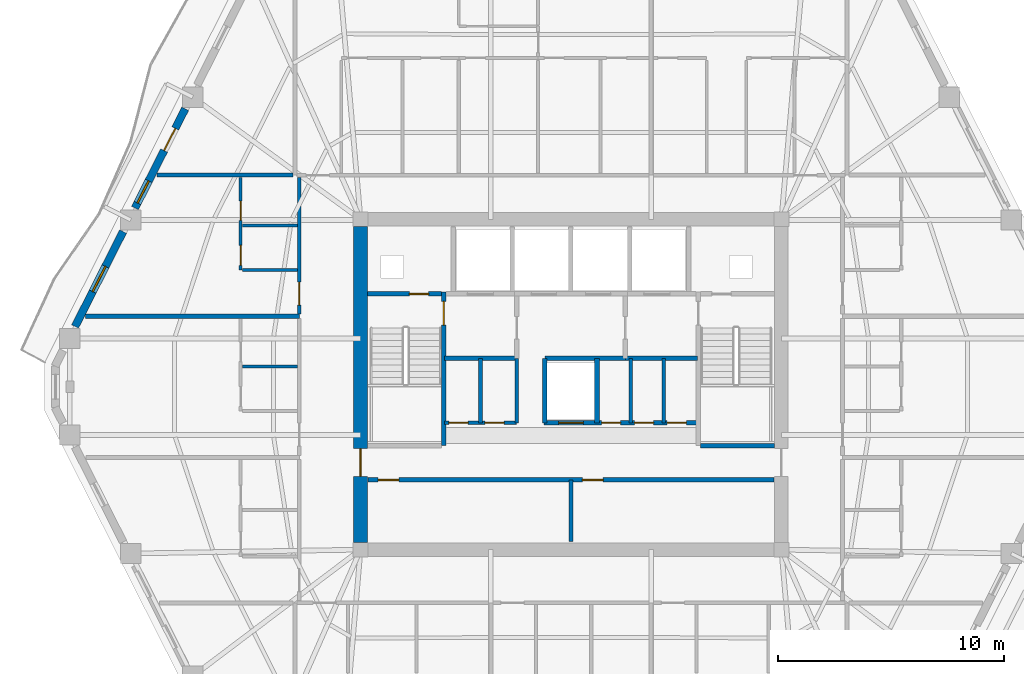
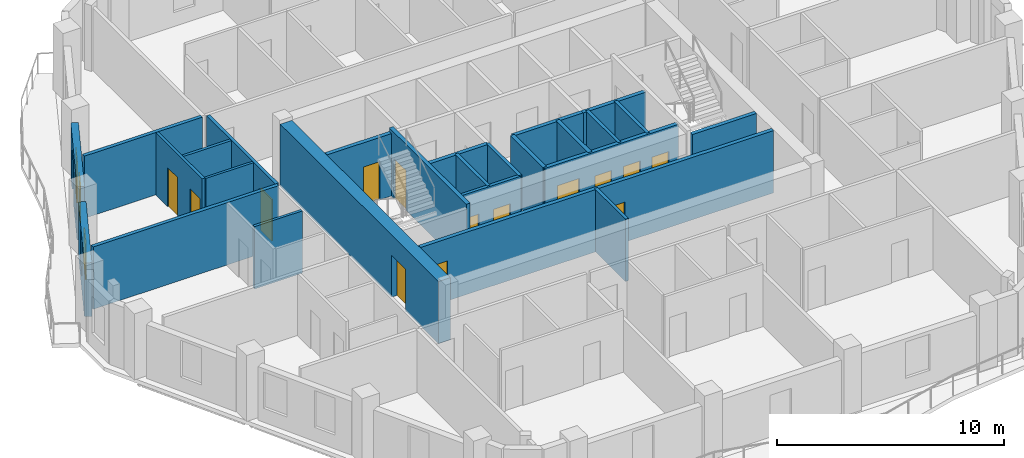
# One storey, part 5 of 10: 26 walls, 15 doors, 2 windows, 17 openings.
"""IFC4 building model written with IfcOpenShell, lengths in metres."""

from ifc_helpers import new_model, si_unit, direction, frame, frame_2d, origin, place, context, subcontext, project, spatial, rectangle, extrude, material, layer, layer_set, type_object, element, fill, save


model = new_model("IFC4")

# Units and contexts
model_context = context("Model", 3, precision=1e-05, world=origin(), true_north=direction((0.0, 1.0)))
body_context = subcontext(model_context, "Body", "Model", "MODEL_VIEW")
ifc_project = project(units=[si_unit("LENGTHUNIT", "METRE"), si_unit("AREAUNIT", "SQUARE_METRE"), si_unit("VOLUMEUNIT", "CUBIC_METRE"), si_unit("PLANEANGLEUNIT", "RADIAN"), si_unit("MASSUNIT", "GRAM", prefix="KILO")], contexts=[model_context])

# Site, building, storey
site_placement = place(None, origin())
site = spatial("IfcSite", under=ifc_project, at=site_placement, CompositionType="ELEMENT")
building_placement = place(site_placement, origin())
building = spatial("IfcBuilding", under=site, at=building_placement, Name="Cinnabar Lancet Tower", CompositionType="ELEMENT")
storey_placement = place(building_placement, frame((0.0, 0.0, 203.85009765625)))
storey = spatial("IfcBuildingStorey", under=building, at=storey_placement, Name="L54", CompositionType="ELEMENT", Elevation=203.85009765625)

# Wall, openings, doors
ifc_material_1 = material(Name="Acoustic twin-stud gypsum partition", Category="gypsum")
ifc_layer_1 = layer(ifc_material_1, 0.159912109375)
ifc_layer_set_1 = layer_set([ifc_layer_1], Name="Acoustic twin-stud gypsum partition")
wall_type_1 = type_object("IfcWallType", Name="ARC-WL-CORR-160", PredefinedType="PARTITIONING", material=ifc_layer_set_1)
wall_1_placement = place(storey_placement, frame((26.800048828125, 24.199951171875, 0.0), z_axis=(0.0, 0.0, 1.0), x_axis=(1.0, 0.0, 0.0)))
wall_1 = element("IfcWall", 1, at=wall_1_placement, inside=storey, type_object=wall_type_1, Name="CW-REC5S-L54", PredefinedType="PARTITIONING", context=body_context, shape_type="SweptSolid", body=[
    extrude(rectangle(XDim=3.199951171875, YDim=0.159912109375, at=frame_2d((1.60009765625, 0.0))), origin(), (0.0, 0.0, 1.0), 3.349853515625),
])
opening_1_placement = place(wall_1_placement, frame((0.199951171875, 0.0, 0.0)))
opening_1 = element("IfcOpeningElement", 2, at=opening_1_placement, cuts=wall_1, Name="Opening PD-02", PredefinedType="OPENING", context=body_context, shape_type="SweptSolid", body=[
    extrude(rectangle(XDim=0.85009765625, YDim=2.050048828125, at=frame_2d((0.425048828125, 1.02490234375))), frame((0.0, 0.08984375, 0.0), z_axis=(0.0, -1.0, 0.0), x_axis=(1.0, 0.0, 0.0)), (0.0, 0.0, 1.0), 0.179931640625),
])
opening_2_placement = place(wall_1_placement, frame((1.800048828125, 0.0, 0.0)))
opening_2 = element("IfcOpeningElement", 3, at=opening_2_placement, cuts=wall_1, Name="Opening PD-02", PredefinedType="OPENING", context=body_context, shape_type="SweptSolid", body=[
    extrude(rectangle(XDim=0.85009765625, YDim=2.050048828125, at=frame_2d((0.425048828125, 1.02490234375))), frame((0.0, 0.08984375, 0.0), z_axis=(0.0, -1.0, 0.0), x_axis=(1.0, 0.0, 0.0)), (0.0, 0.0, 1.0), 0.179931640625),
])
ifc_material_2 = material(Name="Fire-rated steel riser access door", Category="steel")
door_type_1 = type_object("IfcDoorType", Name="ARC-DR-RISER", OperationType="NOTDEFINED", PredefinedType="DOOR", material=ifc_material_2)
door_1_placement = place(opening_1_placement, origin())
door_1 = element("IfcDoor", 4, at=door_1_placement, inside=storey, type_object=door_type_1, Name="DR-L54-REC5A", OperationType="SINGLE_SWING_LEFT", OverallHeight=2.050048828125, OverallWidth=0.85009765625, PredefinedType="DOOR", context=body_context, shape_type="SweptSolid", body=[
    extrude(rectangle(XDim=0.85009765625, YDim=2.050048828125, at=frame_2d((0.425048828125, 1.02490234375))), frame((0.0, 0.02490234375, 0.0), z_axis=(0.0, -1.0, 0.0), x_axis=(1.0, 0.0, 0.0)), (0.0, 0.0, 1.0), 0.050048828125),
])
fill(opening_1, door_1)
door_2_placement = place(opening_2_placement, origin())
door_2 = element("IfcDoor", 5, at=door_2_placement, inside=storey, type_object=door_type_1, Name="DR-L54-REC5B", OperationType="SINGLE_SWING_RIGHT", OverallHeight=2.050048828125, OverallWidth=0.85009765625, PredefinedType="DOOR", context=body_context, shape_type="SweptSolid", body=[
    extrude(rectangle(XDim=0.85009765625, YDim=2.050048828125, at=frame_2d((0.425048828125, 1.02490234375))), frame((0.0, 0.02490234375, 0.0), z_axis=(0.0, -1.0, 0.0), x_axis=(1.0, 0.0, 0.0)), (0.0, 0.0, 1.0), 0.050048828125),
])
fill(opening_2, door_2)

# Walls
for number, where, z_axis, x_axis, name in (
    (6, (30.0, 24.199951171875, 0.0), (0.0, 0.0, 1.0), (0.0, 1.0, 0.0), "CW-REC5E-L54"),
    (7, (28.39990234375, 24.199951171875, 0.0), (0.0, 0.0, 1.0), (0.0, 1.0, 0.0), "CW-REC5D0-L54"),
    (8, (35.050048828125, 24.199951171875, 0.0), (0.0, 0.0, 1.0), (0.0, 1.0, 0.0), "CW-REC6D1-L54"),
    (9, (36.5, 24.199951171875, 0.0), (0.0, 0.0, 1.0), (0.0, 1.0, 0.0), "CW-REC6D2-L54"),
):
    element("IfcWall", number, at=place(storey_placement, frame(where, z_axis=z_axis, x_axis=x_axis)), inside=storey, type_object=wall_type_1, Name=name, PredefinedType="PARTITIONING", context=body_context, shape_type="SweptSolid", body=[
        extrude(rectangle(XDim=2.85009765625, YDim=0.159912109375, at=frame_2d((1.425048828125, 0.0))), origin(), (0.0, 0.0, 1.0), 3.349853515625),
    ])
wall_2_placement = place(storey_placement, frame((32.39990234375, 18.949951171875, 0.0), z_axis=(0.0, 0.0, 1.0), x_axis=(0.0, 1.0, 0.0)))
element("IfcWall", 10, at=wall_2_placement, inside=storey, type_object=wall_type_1, Name="CW-SB-3240-L54", PredefinedType="PARTITIONING", context=body_context, shape_type="SweptSolid", body=[
    extrude(rectangle(XDim=2.72998046875, YDim=0.159912109375, at=frame_2d((1.364990234375, 0.0))), origin(), (0.0, 0.0, 1.0), 3.349853515625),
])

# Wall, opening, door
wall_3_placement = place(storey_placement, frame((20.39990234375, 29.008056640625, 0.0), z_axis=(0.0, 0.0, 1.0), x_axis=(0.0, 1.0, 0.0)))
wall_3 = element("IfcWall", 11, at=wall_3_placement, inside=storey, type_object=wall_type_1, Name="UW-L54-W03-COR", PredefinedType="PARTITIONING", context=body_context, shape_type="SweptSolid", body=[
    extrude(rectangle(XDim=6.046875, YDim=0.159912109375, at=frame_2d((3.0234375, 0.0))), origin(), (0.0, 0.0, 1.0), 3.349853515625),
])
opening_3_placement = place(wall_3_placement, frame((0.39990234375, 0.0, 0.0)))
opening_3 = element("IfcOpeningElement", 12, at=opening_3_placement, cuts=wall_3, Name="Opening UD-01", PredefinedType="OPENING", context=body_context, shape_type="SweptSolid", body=[
    extrude(rectangle(XDim=1.02001953125, YDim=2.25, at=frame_2d((0.510009765625, 1.125))), frame((0.0, 0.08984375, 0.0), z_axis=(0.0, -1.0, 0.0), x_axis=(1.0, 0.0, 0.0)), (0.0, 0.0, 1.0), 0.179931640625),
])
ifc_material_3 = material(Name="Solid timber fire-rated apartment entrance door", Category="wood")
door_type_2 = type_object("IfcDoorType", Name="ARC-DR-UNIT", OperationType="NOTDEFINED", PredefinedType="DOOR", material=ifc_material_3)
door_3_placement = place(opening_3_placement, origin())
door_3 = element("IfcDoor", 13, at=door_3_placement, inside=storey, type_object=door_type_2, Name="DR-L54-W03-ENT", OperationType="SINGLE_SWING_LEFT", OverallHeight=2.25, OverallWidth=1.02001953125, PredefinedType="DOOR", context=body_context, shape_type="SweptSolid", body=[
    extrude(rectangle(XDim=1.02001953125, YDim=2.25, at=frame_2d((0.510009765625, 1.125))), frame((0.0, 0.02490234375, 0.0), z_axis=(0.0, -1.0, 0.0), x_axis=(1.0, 0.0, 0.0)), (0.0, 0.0, 1.0), 0.050048828125),
])
fill(opening_3, door_3)

# Walls
ifc_material_4 = material(Name="Fire-rated twin-frame acoustic drywall", Category="gypsum")
ifc_layer_2 = layer(ifc_material_4, 0.179931640625)
ifc_layer_set_2 = layer_set([ifc_layer_2], Name="Fire-rated twin-frame acoustic drywall")
wall_type_2 = type_object("IfcWallType", Name="ARC-WL-PARTY-180", PredefinedType="PARTITIONING", material=ifc_layer_set_2)
wall_4_placement = place(storey_placement, frame((14.110107421875, 35.14990234375, 0.0), z_axis=(0.0, 0.0, 1.0), x_axis=(1.0, 0.0, 0.0)))
element("IfcWall", 14, at=wall_4_placement, inside=storey, type_object=wall_type_2, Name="PW-L54-WNB", PredefinedType="PARTITIONING", context=body_context, shape_type="SweptSolid", body=[
    extrude(rectangle(XDim=5.994873046875, YDim=0.179931640625, at=frame_2d((2.99755859375, 0.0))), origin(), (0.0, 0.0, 1.0), 3.349853515625),
])
wall_5_placement = place(storey_placement, frame((10.9541015625, 28.9130859375, 0.0), z_axis=(0.0, 0.0, 1.0), x_axis=(1.0, 0.0, 0.0)))
element("IfcWall", 15, at=wall_5_placement, inside=storey, type_object=wall_type_2, Name="PW-L54-WPTY-2", PredefinedType="PARTITIONING", context=body_context, shape_type="SweptSolid", body=[
    extrude(rectangle(XDim=9.44580078125, YDim=0.179931640625, at=frame_2d((4.722900390625, 0.0))), origin(), (0.0, 0.0, 1.0), 3.349853515625),
])
ifc_material_5 = material(Name="Autoclaved aerated concrete blockwork", Category="masonry")
ifc_layer_3 = layer(ifc_material_5, 0.199951171875)
ifc_layer_set_3 = layer_set([ifc_layer_3], Name="Autoclaved aerated concrete blockwork")
wall_type_3 = type_object("IfcWallType", Name="ARC-WL-SHAFT-200", PredefinedType="PLUMBINGWALL", material=ifc_layer_set_3)
wall_6_placement = place(storey_placement, frame((38.125, 23.199951171875, 0.0), z_axis=(0.0, 0.0, 1.0), x_axis=(1.0, 0.0, 0.0)))
element("IfcWall", 16, at=wall_6_placement, inside=storey, type_object=wall_type_3, Name="CW-ST2S-L54", PredefinedType="PLUMBINGWALL", context=body_context, shape_type="SweptSolid", body=[
    extrude(rectangle(XDim=3.27001953125, YDim=0.199951171875, at=frame_2d((1.635009765625, 0.0))), origin(), (0.0, 0.0, 1.0), 3.349853515625),
])

# Wall, opening, door
wall_7_placement = place(storey_placement, frame((23.405029296875, 29.89990234375, 0.0), z_axis=(0.0, 0.0, 1.0), x_axis=(1.0, 0.0, 0.0)))
wall_7 = element("IfcWall", 17, at=wall_7_placement, inside=storey, type_object=wall_type_3, Name="CW-NSH-W-L54", PredefinedType="PLUMBINGWALL", context=body_context, shape_type="SweptSolid", body=[
    extrude(rectangle(XDim=3.27001953125, YDim=0.199951171875, at=frame_2d((1.635009765625, 0.0))), origin(), (0.0, 0.0, 1.0), 3.349853515625),
])
opening_4_placement = place(wall_7_placement, frame((1.85009765625, 0.0, 0.0)))
opening_4 = element("IfcOpeningElement", 18, at=opening_4_placement, cuts=wall_7, Name="Opening PD-02", PredefinedType="OPENING", context=body_context, shape_type="SweptSolid", body=[
    extrude(rectangle(XDim=0.85009765625, YDim=2.050048828125, at=frame_2d((0.425048828125, 1.02490234375))), frame((0.0, 0.10986328125, 0.0), z_axis=(0.0, -1.0, 0.0), x_axis=(1.0, 0.0, 0.0)), (0.0, 0.0, 1.0), 0.219970703125),
])
door_4_placement = place(opening_4_placement, origin())
door_4 = element("IfcDoor", 19, at=door_4_placement, inside=storey, type_object=door_type_1, Name="L54 West Riser Access Door", OperationType="SINGLE_SWING_LEFT", OverallHeight=2.050048828125, OverallWidth=0.85009765625, PredefinedType="DOOR", context=body_context, shape_type="SweptSolid", body=[
    extrude(rectangle(XDim=0.85009765625, YDim=2.050048828125, at=frame_2d((0.425048828125, 1.02490234375))), frame((0.0, 0.02490234375, 0.0), z_axis=(0.0, -1.0, 0.0), x_axis=(1.0, 0.0, 0.0)), (0.0, 0.0, 1.0), 0.050048828125),
])
fill(opening_4, door_4)

# Walls
for number, where, z_axis, x_axis, name in (
    (20, (26.800048828125, 27.050048828125, 0.0), (0.0, 0.0, 1.0), (1.0, 0.0, 0.0), "CW-FF1S-L54"),
    (21, (34.800048828125, 27.050048828125, 0.0), (0.0, 0.0, 1.0), (1.0, 0.0, 0.0), "CW-FF2S-L54"),
):
    element("IfcWall", number, at=place(storey_placement, frame(where, z_axis=z_axis, x_axis=x_axis)), inside=storey, type_object=wall_type_3, Name=name, PredefinedType="PLUMBINGWALL", context=body_context, shape_type="SweptSolid", body=[
        extrude(rectangle(XDim=3.199951171875, YDim=0.199951171875, at=frame_2d((1.60009765625, 0.0))), origin(), (0.0, 0.0, 1.0), 3.349853515625),
    ])

# Wall, openings, doors
wall_8_placement = place(storey_placement, frame((31.199951171875, 24.199951171875, 0.0), z_axis=(0.0, 0.0, 1.0), x_axis=(1.0, 0.0, 0.0)))
wall_8 = element("IfcWall", 22, at=wall_8_placement, inside=storey, type_object=wall_type_3, Name="CW-PL96S-L54", PredefinedType="PLUMBINGWALL", context=body_context, shape_type="SweptSolid", body=[
    extrude(rectangle(XDim=6.800048828125, YDim=0.199951171875, at=frame_2d((3.39990234375, 0.0))), origin(), (0.0, 0.0, 1.0), 3.349853515625),
])
opening_5_placement = place(wall_8_placement, frame((0.64990234375, 0.0, 0.0)))
opening_5 = element("IfcOpeningElement", 23, at=opening_5_placement, cuts=wall_8, Name="Opening LD-01", PredefinedType="OPENING", context=body_context, shape_type="SweptSolid", body=[
    extrude(rectangle(XDim=1.10009765625, YDim=2.199951171875, at=frame_2d((0.550048828125, 1.10009765625))), frame((0.0, 0.10986328125, 0.0), z_axis=(0.0, -1.0, 0.0), x_axis=(1.0, 0.0, 0.0)), (0.0, 0.0, 1.0), 0.219970703125),
])
opening_6_placement = place(wall_8_placement, frame((2.550048828125, 0.0, 0.0)))
opening_6 = element("IfcOpeningElement", 24, at=opening_6_placement, cuts=wall_8, Name="Opening PD-02", PredefinedType="OPENING", context=body_context, shape_type="SweptSolid", body=[
    extrude(rectangle(XDim=0.85009765625, YDim=2.050048828125, at=frame_2d((0.425048828125, 1.02490234375))), frame((0.0, 0.10986328125, 0.0), z_axis=(0.0, -1.0, 0.0), x_axis=(1.0, 0.0, 0.0)), (0.0, 0.0, 1.0), 0.219970703125),
])
opening_7_placement = place(wall_8_placement, frame((4.0, 0.0, 0.0)))
opening_7 = element("IfcOpeningElement", 25, at=opening_7_placement, cuts=wall_8, Name="Opening PD-02", PredefinedType="OPENING", context=body_context, shape_type="SweptSolid", body=[
    extrude(rectangle(XDim=0.85009765625, YDim=2.050048828125, at=frame_2d((0.425048828125, 1.02490234375))), frame((0.0, 0.10986328125, 0.0), z_axis=(0.0, -1.0, 0.0), x_axis=(1.0, 0.0, 0.0)), (0.0, 0.0, 1.0), 0.219970703125),
])
opening_8_placement = place(wall_8_placement, frame((5.449951171875, 0.0, 0.0)))
opening_8 = element("IfcOpeningElement", 26, at=opening_8_placement, cuts=wall_8, Name="Opening PD-02", PredefinedType="OPENING", context=body_context, shape_type="SweptSolid", body=[
    extrude(rectangle(XDim=0.85009765625, YDim=2.050048828125, at=frame_2d((0.425048828125, 1.02490234375))), frame((0.0, 0.10986328125, 0.0), z_axis=(0.0, -1.0, 0.0), x_axis=(1.0, 0.0, 0.0)), (0.0, 0.0, 1.0), 0.219970703125),
])
ifc_material_6 = material(Name="Brushed stainless steel sliding lift door", Category="steel")
door_type_3 = type_object("IfcDoorType", Name="ARC-DR-LD-PASS", OperationType="NOTDEFINED", PredefinedType="DOOR", material=ifc_material_6)
door_5_placement = place(opening_5_placement, origin())
door_5 = element("IfcDoor", 27, at=door_5_placement, inside=storey, type_object=door_type_3, Name="L54 Lift PL-9 Landing Door", OperationType="DOUBLE_DOOR_SLIDING", OverallHeight=2.199951171875, OverallWidth=1.10009765625, PredefinedType="DOOR", context=body_context, shape_type="SweptSolid", body=[
    extrude(rectangle(XDim=1.10009765625, YDim=2.199951171875, at=frame_2d((0.550048828125, 1.10009765625))), frame((0.0, 0.02490234375, 0.0), z_axis=(0.0, -1.0, 0.0), x_axis=(1.0, 0.0, 0.0)), (0.0, 0.0, 1.0), 0.050048828125),
])
fill(opening_5, door_5)
door_6_placement = place(opening_6_placement, origin())
door_6 = element("IfcDoor", 28, at=door_6_placement, inside=storey, type_object=door_type_1, Name="DR-L54-REC6A", OperationType="SINGLE_SWING_LEFT", OverallHeight=2.050048828125, OverallWidth=0.85009765625, PredefinedType="DOOR", context=body_context, shape_type="SweptSolid", body=[
    extrude(rectangle(XDim=0.85009765625, YDim=2.050048828125, at=frame_2d((0.425048828125, 1.02490234375))), frame((0.0, 0.02490234375, 0.0), z_axis=(0.0, -1.0, 0.0), x_axis=(1.0, 0.0, 0.0)), (0.0, 0.0, 1.0), 0.050048828125),
])
fill(opening_6, door_6)
door_7_placement = place(opening_7_placement, origin())
door_7 = element("IfcDoor", 29, at=door_7_placement, inside=storey, type_object=door_type_1, Name="DR-L54-REC6B", OperationType="SINGLE_SWING_RIGHT", OverallHeight=2.050048828125, OverallWidth=0.85009765625, PredefinedType="DOOR", context=body_context, shape_type="SweptSolid", body=[
    extrude(rectangle(XDim=0.85009765625, YDim=2.050048828125, at=frame_2d((0.425048828125, 1.02490234375))), frame((0.0, 0.02490234375, 0.0), z_axis=(0.0, -1.0, 0.0), x_axis=(1.0, 0.0, 0.0)), (0.0, 0.0, 1.0), 0.050048828125),
])
fill(opening_7, door_7)
door_8_placement = place(opening_8_placement, origin())
door_8 = element("IfcDoor", 30, at=door_8_placement, inside=storey, type_object=door_type_1, Name="DR-L54-REC6C", OperationType="SINGLE_SWING_LEFT", OverallHeight=2.050048828125, OverallWidth=0.85009765625, PredefinedType="DOOR", context=body_context, shape_type="SweptSolid", body=[
    extrude(rectangle(XDim=0.85009765625, YDim=2.050048828125, at=frame_2d((0.425048828125, 1.02490234375))), frame((0.0, 0.02490234375, 0.0), z_axis=(0.0, -1.0, 0.0), x_axis=(1.0, 0.0, 0.0)), (0.0, 0.0, 1.0), 0.050048828125),
])
fill(opening_8, door_8)

# Walls
for number, where, z_axis, x_axis, name in (
    (31, (31.25, 24.199951171875, 0.0), (0.0, 0.0, 1.0), (0.0, 1.0, 0.0), "CW-PL9W-L54"),
    (32, (33.550048828125, 24.199951171875, 0.0), (0.0, 0.0, 1.0), (0.0, 1.0, 0.0), "CW-PL9E-L54"),
):
    element("IfcWall", number, at=place(storey_placement, frame(where, z_axis=z_axis, x_axis=x_axis)), inside=storey, type_object=wall_type_3, Name=name, PredefinedType="PLUMBINGWALL", context=body_context, shape_type="SweptSolid", body=[
        extrude(rectangle(XDim=2.85009765625, YDim=0.199951171875, at=frame_2d((1.425048828125, 0.0))), origin(), (0.0, 0.0, 1.0), 3.349853515625),
    ])
wall_9_placement = place(storey_placement, frame((31.25, 27.050048828125, 0.0), z_axis=(0.0, 0.0, 1.0), x_axis=(1.0, 0.0, 0.0)))
element("IfcWall", 33, at=wall_9_placement, inside=storey, type_object=wall_type_3, Name="CW-PL96N-L54", PredefinedType="PLUMBINGWALL", context=body_context, shape_type="SweptSolid", body=[
    extrude(rectangle(XDim=3.550048828125, YDim=0.199951171875, at=frame_2d((1.77490234375, 0.0))), origin(), (0.0, 0.0, 1.0), 3.349853515625),
])

# Wall, openings, doors
wall_10_placement = place(storey_placement, frame((23.419921875, 21.679931640625, 0.0), z_axis=(0.0, 0.0, 1.0), x_axis=(1.0, 0.0, 0.0)))
wall_10 = element("IfcWall", 34, at=wall_10_placement, inside=storey, type_object=wall_type_3, Name="CW-SBANDN-L54", PredefinedType="PLUMBINGWALL", context=body_context, shape_type="SweptSolid", body=[
    extrude(rectangle(XDim=17.9599609375, YDim=0.199951171875, at=frame_2d((8.97998046875, 0.0))), origin(), (0.0, 0.0, 1.0), 3.349853515625),
])
opening_9_placement = place(wall_10_placement, frame((0.4599609375, 0.0, 0.0)))
opening_9 = element("IfcOpeningElement", 35, at=opening_9_placement, cuts=wall_10, Name="Opening RD-01", PredefinedType="OPENING", context=body_context, shape_type="SweptSolid", body=[
    extrude(rectangle(XDim=0.919921875, YDim=2.14990234375, at=frame_2d((0.4599609375, 1.074951171875))), frame((0.0, 0.10986328125, 0.0), z_axis=(0.0, -1.0, 0.0), x_axis=(1.0, 0.0, 0.0)), (0.0, 0.0, 1.0), 0.219970703125),
])
opening_10_placement = place(wall_10_placement, frame((9.47998046875, 0.0, 0.0)))
opening_10 = element("IfcOpeningElement", 36, at=opening_10_placement, cuts=wall_10, Name="Opening RD-01", PredefinedType="OPENING", context=body_context, shape_type="SweptSolid", body=[
    extrude(rectangle(XDim=0.919921875, YDim=2.14990234375, at=frame_2d((0.4599609375, 1.074951171875))), frame((0.0, 0.10986328125, 0.0), z_axis=(0.0, -1.0, 0.0), x_axis=(1.0, 0.0, 0.0)), (0.0, 0.0, 1.0), 0.219970703125),
])
ifc_material_7 = material(Name="Engineered timber bedroom door", Category="wood")
door_type_4 = type_object("IfcDoorType", Name="ARC-DR-ROOM", OperationType="NOTDEFINED", PredefinedType="DOOR", material=ifc_material_7)
door_9_placement = place(opening_9_placement, origin())
door_9 = element("IfcDoor", 37, at=door_9_placement, inside=storey, type_object=door_type_4, Name="DR-L54-HREC1", OperationType="SINGLE_SWING_LEFT", OverallHeight=2.14990234375, OverallWidth=0.919921875, PredefinedType="DOOR", context=body_context, shape_type="SweptSolid", body=[
    extrude(rectangle(XDim=0.919921875, YDim=2.14990234375, at=frame_2d((0.4599609375, 1.074951171875))), frame((0.0, 0.02490234375, 0.0), z_axis=(0.0, -1.0, 0.0), x_axis=(1.0, 0.0, 0.0)), (0.0, 0.0, 1.0), 0.050048828125),
])
fill(opening_9, door_9)
door_10_placement = place(opening_10_placement, origin())
door_10 = element("IfcDoor", 38, at=door_10_placement, inside=storey, type_object=door_type_4, Name="DR-L54-HREC2", OperationType="SINGLE_SWING_RIGHT", OverallHeight=2.14990234375, OverallWidth=0.919921875, PredefinedType="DOOR", context=body_context, shape_type="SweptSolid", body=[
    extrude(rectangle(XDim=0.919921875, YDim=2.14990234375, at=frame_2d((0.4599609375, 1.074951171875))), frame((0.0, 0.02490234375, 0.0), z_axis=(0.0, -1.0, 0.0), x_axis=(1.0, 0.0, 0.0)), (0.0, 0.0, 1.0), 0.050048828125),
])
fill(opening_10, door_10)

# Walls
ifc_material_8 = material(Name="Gypsum plasterboard stud partition", Category="gypsum")
ifc_layer_4 = layer(ifc_material_8, 0.125)
ifc_layer_set_4 = layer_set([ifc_layer_4], Name="Gypsum plasterboard stud partition")
wall_type_4 = type_object("IfcWallType", Name="ARC-WL-UNIT-125", PredefinedType="PARTITIONING", material=ifc_layer_set_4)
wall_11_placement = place(storey_placement, frame((17.885009765625, 30.962890625, 0.0), z_axis=(0.0, 0.0, 1.0), x_axis=(1.0, 0.0, 0.0)))
element("IfcWall", 39, at=wall_11_placement, inside=storey, type_object=wall_type_4, Name="UW-L54-W03-FOYN", PredefinedType="PARTITIONING", context=body_context, shape_type="SweptSolid", body=[
    extrude(rectangle(XDim=2.429931640625, YDim=0.125, at=frame_2d((1.21484375, 0.0))), origin(), (0.0, 0.0, 1.0), 3.349853515625),
])
ifc_material_9 = material(Name="Moisture-resistant cement-board plumbing wall", Category="masonry")
ifc_layer_5 = layer(ifc_material_9, 0.139892578125)
ifc_layer_set_5 = layer_set([ifc_layer_5], Name="Moisture-resistant cement-board plumbing wall")
wall_type_5 = type_object("IfcWallType", Name="ARC-WL-WET-140", PredefinedType="PLUMBINGWALL", material=ifc_layer_set_5)
wall_12_placement = place(storey_placement, frame((17.885009765625, 26.68994140625, 0.0), z_axis=(0.0, 0.0, 1.0), x_axis=(1.0, 0.0, 0.0)))
element("IfcWall", 40, at=wall_12_placement, inside=storey, type_object=wall_type_5, Name="UW-L54-W02-KDV", PredefinedType="PLUMBINGWALL", context=body_context, shape_type="SweptSolid", body=[
    extrude(rectangle(XDim=2.429931640625, YDim=0.139892578125, at=frame_2d((1.21484375, 0.0))), origin(), (0.0, 0.0, 1.0), 3.349853515625),
])

# Wall, openings, doors
wall_13_placement = place(storey_placement, frame((17.800048828125, 30.962890625, 0.0), z_axis=(0.0, 0.0, 1.0), x_axis=(0.0, 1.0, 0.0)))
wall_13 = element("IfcWall", 41, at=wall_13_placement, inside=storey, type_object=wall_type_5, Name="UW-L54-W03-SPL", PredefinedType="PLUMBINGWALL", context=body_context, shape_type="SweptSolid", body=[
    extrude(rectangle(XDim=4.092041015625, YDim=0.139892578125, at=frame_2d((2.0458984375, 0.0))), origin(), (0.0, 0.0, 1.0), 3.349853515625),
])
opening_11_placement = place(wall_13_placement, frame((2.18408203125, 0.0, 0.0)))
opening_11 = element("IfcOpeningElement", 42, at=opening_11_placement, cuts=wall_13, Name="Opening BD-01", PredefinedType="OPENING", context=body_context, shape_type="SweptSolid", body=[
    extrude(rectangle(XDim=0.860107421875, YDim=2.10009765625, at=frame_2d((0.43017578125, 1.050048828125))), frame((0.0, 0.079833984375, 0.0), z_axis=(0.0, -1.0, 0.0), x_axis=(1.0, 0.0, 0.0)), (0.0, 0.0, 1.0), 0.159912109375),
])
opening_12_placement = place(wall_13_placement, frame((0.199951171875, 0.0, 0.0)))
opening_12 = element("IfcOpeningElement", 43, at=opening_12_placement, cuts=wall_13, Name="Opening RD-02", PredefinedType="OPENING", context=body_context, shape_type="SweptSolid", body=[
    extrude(rectangle(XDim=0.8798828125, YDim=2.14990234375, at=frame_2d((0.43994140625, 1.074951171875))), frame((0.0, 0.079833984375, 0.0), z_axis=(0.0, -1.0, 0.0), x_axis=(1.0, 0.0, 0.0)), (0.0, 0.0, 1.0), 0.159912109375),
])
ifc_material_10 = material(Name="Moisture-resistant timber bathroom door", Category="wood")
door_type_5 = type_object("IfcDoorType", Name="ARC-DR-BATH", OperationType="NOTDEFINED", PredefinedType="DOOR", material=ifc_material_10)
door_11_placement = place(opening_11_placement, origin())
door_11 = element("IfcDoor", 44, at=door_11_placement, inside=storey, type_object=door_type_5, Name="DR-L54-W03-BTH", OperationType="SINGLE_SWING_LEFT", OverallHeight=2.10009765625, OverallWidth=0.860107421875, PredefinedType="DOOR", context=body_context, shape_type="SweptSolid", body=[
    extrude(rectangle(XDim=0.860107421875, YDim=2.10009765625, at=frame_2d((0.43017578125, 1.050048828125))), frame((0.0, 0.02490234375, 0.0), z_axis=(0.0, -1.0, 0.0), x_axis=(1.0, 0.0, 0.0)), (0.0, 0.0, 1.0), 0.050048828125),
])
fill(opening_11, door_11)
ifc_material_11 = material(Name="Engineered timber study door", Category="wood")
door_type_6 = type_object("IfcDoorType", Name="ARC-DR-STUDY", OperationType="NOTDEFINED", PredefinedType="DOOR", material=ifc_material_11)
door_12_placement = place(opening_12_placement, origin())
door_12 = element("IfcDoor", 45, at=door_12_placement, inside=storey, type_object=door_type_6, Name="DR-L54-W03-KIT", OperationType="SINGLE_SWING_RIGHT", OverallHeight=2.14990234375, OverallWidth=0.8798828125, PredefinedType="DOOR", context=body_context, shape_type="SweptSolid", body=[
    extrude(rectangle(XDim=0.8798828125, YDim=2.14990234375, at=frame_2d((0.43994140625, 1.074951171875))), frame((0.0, 0.02490234375, 0.0), z_axis=(0.0, -1.0, 0.0), x_axis=(1.0, 0.0, 0.0)), (0.0, 0.0, 1.0), 0.050048828125),
])
fill(opening_12, door_12)

# Wall
wall_14_placement = place(storey_placement, frame((17.885009765625, 32.927001953125, 0.0), z_axis=(0.0, 0.0, 1.0), x_axis=(1.0, 0.0, 0.0)))
element("IfcWall", 46, at=wall_14_placement, inside=storey, type_object=wall_type_5, Name="UW-L54-W03-KDV", PredefinedType="PLUMBINGWALL", context=body_context, shape_type="SweptSolid", body=[
    extrude(rectangle(XDim=2.429931640625, YDim=0.139892578125, at=frame_2d((1.21484375, 0.0))), origin(), (0.0, 0.0, 1.0), 3.349853515625),
])

# Wall, openings, door, window
ifc_material_12 = material(Name="Cinnabar red clay brick", Category="masonry")
ifc_layer_6 = layer(ifc_material_12, 0.340087890625)
ifc_layer_set_6 = layer_set([ifc_layer_6], Name="Cinnabar red clay brick")
wall_type_6 = type_object("IfcWallType", Name="ENV-WL-BRK-RED-340", PredefinedType="STANDARD", material=ifc_layer_set_6)
wall_15_placement = place(storey_placement, frame((15.35205078125, 38.0830078125, 0.0), z_axis=(0.0, 0.0, 1.0), x_axis=(-0.451524246964, -0.89225884944, 0.0)))
wall_15 = element("IfcWall", 47, at=wall_15_placement, inside=storey, type_object=wall_type_6, Name="L54 Face 5 Masonry Bay Wall 3", PredefinedType="STANDARD", context=body_context, shape_type="SweptSolid", body=[
    extrude(rectangle(XDim=4.91015625, YDim=0.340087890625, at=frame_2d((2.455078125, 0.0))), origin(), (0.0, 0.0, 1.0), 2.8828125),
])
opening_13_placement = place(wall_15_placement, frame((0.968017578125, 0.0, 0.0)))
opening_13 = element("IfcOpeningElement", 48, at=opening_13_placement, cuts=wall_15, Name="Opening TD-01", PredefinedType="OPENING", context=body_context, shape_type="SweptSolid", body=[
    extrude(rectangle(XDim=1.10009765625, YDim=2.25, at=frame_2d((0.550048828125, 1.125))), frame((0.0, 0.179931640625, 0.0), z_axis=(0.0, -1.0, 0.0), x_axis=(1.0, 0.0, 0.0)), (0.0, 0.0, 1.0), 0.360107421875),
])
opening_14_placement = place(wall_15_placement, frame((3.569091796875, 0.0, 0.75)))
opening_14 = element("IfcOpeningElement", 49, at=opening_14_placement, cuts=wall_15, Name="Opening WN-04", PredefinedType="OPENING", context=body_context, shape_type="SweptSolid", body=[
    extrude(rectangle(XDim=1.10009765625, YDim=1.98291015625, at=frame_2d((0.550048828125, 0.991455078125))), frame((0.0, 0.179931640625, 0.0), z_axis=(0.0, -1.0, 0.0), x_axis=(1.0, 0.0, 0.0)), (0.0, 0.0, 1.0), 0.360107421875),
])
ifc_material_13 = material(Name="Thermally broken low-E glazed balcony terrace door", Category="wood")
door_type_7 = type_object("IfcDoorType", Name="ARC-DR-BALC", OperationType="NOTDEFINED", PredefinedType="DOOR", material=ifc_material_13)
door_13_placement = place(opening_13_placement, origin())
door_13 = element("IfcDoor", 50, at=door_13_placement, inside=storey, type_object=door_type_7, Name="L54 Face 5 Glazed Terrace Door", OperationType="SINGLE_SWING_RIGHT", OverallHeight=2.25, OverallWidth=1.10009765625, PredefinedType="DOOR", context=body_context, shape_type="SweptSolid", body=[
    extrude(rectangle(XDim=1.10009765625, YDim=2.25, at=frame_2d((0.550048828125, 1.125))), frame((0.0, 0.02490234375, 0.0), z_axis=(0.0, -1.0, 0.0), x_axis=(1.0, 0.0, 0.0)), (0.0, 0.0, 1.0), 0.050048828125),
])
fill(opening_13, door_13)
ifc_material_14 = material(Name="Thermally broken bronze-anodized aluminium tall lancet window", Category="aluminium")
window_type_1 = type_object("IfcWindowType", Name="ENV-WN-LANCET-1100", PartitioningType="SINGLE_PANEL", PredefinedType="WINDOW", material=ifc_material_14)
window_1_placement = place(opening_14_placement, origin())
window_1 = element("IfcWindow", 51, at=window_1_placement, inside=storey, type_object=window_type_1, Name="L54 Split-Bay Gothic Lancet Window 185", OverallHeight=1.98291015625, OverallWidth=1.10009765625, PartitioningType="SINGLE_PANEL", PredefinedType="WINDOW", context=body_context, shape_type="SweptSolid", body=[
    extrude(rectangle(XDim=1.10009765625, YDim=1.98291015625, at=frame_2d((0.550048828125, 0.991455078125))), frame((0.0, 0.030029296875, 0.0), z_axis=(0.0, -1.0, 0.0), x_axis=(1.0, 0.0, 0.0)), (0.0, 0.0, 1.0), 0.06005859375),
])
fill(opening_14, window_1)

# Wall, opening, window
wall_16_placement = place(storey_placement, frame((12.60693359375, 32.656982421875, 0.0), z_axis=(0.0, 0.0, 1.0), x_axis=(-0.451426298588, -0.892308409096, 0.0)))
wall_16 = element("IfcWall", 52, at=wall_16_placement, inside=storey, type_object=wall_type_6, Name="L54 Face 5 Masonry Bay Wall 4", PredefinedType="STANDARD", context=body_context, shape_type="SweptSolid", body=[
    extrude(rectangle(XDim=4.7001953125, YDim=0.340087890625, at=frame_2d((2.35009765625, 0.0))), origin(), (0.0, 0.0, 1.0), 2.8828125),
])
opening_15_placement = place(wall_16_placement, frame((1.72509765625, 0.0, 0.75)))
opening_15 = element("IfcOpeningElement", 53, at=opening_15_placement, cuts=wall_16, Name="Opening WN-03", PredefinedType="OPENING", context=body_context, shape_type="SweptSolid", body=[
    extrude(rectangle(XDim=1.25, YDim=1.949951171875, at=frame_2d((0.625, 0.97509765625))), frame((0.0, 0.179931640625, 0.0), z_axis=(0.0, -1.0, 0.0), x_axis=(1.0, 0.0, 0.0)), (0.0, 0.0, 1.0), 0.360107421875),
])
ifc_material_15 = material(Name="Thermally broken bronze-anodized aluminium low-E double glazing", Category="aluminium")
window_type_2 = type_object("IfcWindowType", Name="ENV-WN-LANCET-1250", PartitioningType="SINGLE_PANEL", PredefinedType="WINDOW", material=ifc_material_15)
window_2_placement = place(opening_15_placement, origin())
window_2 = element("IfcWindow", 54, at=window_2_placement, inside=storey, type_object=window_type_2, Name="L54 Face 5 Gothic Lancet Window 4", OverallHeight=1.949951171875, OverallWidth=1.25, PartitioningType="SINGLE_PANEL", PredefinedType="WINDOW", context=body_context, shape_type="SweptSolid", body=[
    extrude(rectangle(XDim=1.25, YDim=1.949951171875, at=frame_2d((0.625, 0.97509765625))), frame((0.0, 0.030029296875, 0.0), z_axis=(0.0, -1.0, 0.0), x_axis=(1.0, 0.0, 0.0)), (0.0, 0.0, 1.0), 0.06005859375),
])
fill(opening_15, window_2)

# Wall, opening, door
ifc_material_16 = material(Name="Concrete C60/75", Category="concrete")
ifc_layer_7 = layer(ifc_material_16, 0.60009765625)
ifc_layer_set_7 = layer_set([ifc_layer_7], Name="Concrete C60/75")
wall_type_7 = type_object("IfcWallType", Name="STR-WL-CORE-600", PredefinedType="SHEAR", material=ifc_layer_set_7)
wall_17_placement = place(storey_placement, frame((23.10009765625, 18.925048828125, 0.0), z_axis=(0.0, 0.0, 1.0), x_axis=(0.0, 1.0, 0.0)))
wall_17 = element("IfcWall", 55, at=wall_17_placement, inside=storey, type_object=wall_type_7, Name="L54 Core Shear Wall W", PredefinedType="SHEAR", context=body_context, shape_type="SweptSolid", body=[
    extrude(rectangle(XDim=13.949951171875, YDim=0.60009765625, at=frame_2d((6.97509765625, 0.0))), origin(), (0.0, 0.0, 1.0), 3.349853515625),
])
opening_16_placement = place(wall_17_placement, frame((2.9150390625, 0.0, 0.0)))
opening_16 = element("IfcOpeningElement", 56, at=opening_16_placement, cuts=wall_17, Name="Opening FD-02", PredefinedType="OPENING", context=body_context, shape_type="SweptSolid", body=[
    extrude(rectangle(XDim=1.219970703125, YDim=2.25, at=frame_2d((0.60986328125, 1.125))), frame((0.0, 0.31005859375, 0.0), z_axis=(0.0, -1.0, 0.0), x_axis=(1.0, 0.0, 0.0)), (0.0, 0.0, 1.0), 0.6201171875),
])
ifc_material_17 = material(Name="Fire-rated double-vision core portal door", Category="wood")
door_type_8 = type_object("IfcDoorType", Name="ARC-DR-CPORT", OperationType="NOTDEFINED", PredefinedType="DOOR", material=ifc_material_17)
door_14_placement = place(opening_16_placement, origin())
door_14 = element("IfcDoor", 57, at=door_14_placement, inside=storey, type_object=door_type_8, Name="L54 West Core Lobby Fire Door", OperationType="SINGLE_SWING_RIGHT", OverallHeight=2.25, OverallWidth=1.219970703125, PredefinedType="DOOR", context=body_context, shape_type="SweptSolid", body=[
    extrude(rectangle(XDim=1.219970703125, YDim=2.25, at=frame_2d((0.60986328125, 1.125))), frame((0.0, 0.02490234375, 0.0), z_axis=(0.0, -1.0, 0.0), x_axis=(1.0, 0.0, 0.0)), (0.0, 0.0, 1.0), 0.050048828125),
])
fill(opening_16, door_14)

ifc_material_18 = material(Name="Concrete C50/60", Category="concrete")
ifc_layer_8 = layer(ifc_material_18, 0.199951171875)
ifc_layer_set_8 = layer_set([ifc_layer_8], Name="Concrete C50/60")
wall_type_8 = type_object("IfcWallType", Name="STR-WL-STAIR-200", PredefinedType="SHEAR", material=ifc_layer_set_8)
wall_18_placement = place(storey_placement, frame((26.780029296875, 23.199951171875, 0.0), z_axis=(0.0, 0.0, 1.0), x_axis=(0.0, 1.0, 0.0)))
wall_18 = element("IfcWall", 58, at=wall_18_placement, inside=storey, type_object=wall_type_8, Name="L54 Stair ST-1 Structural Enclosure Wall", PredefinedType="SHEAR", context=body_context, shape_type="SweptSolid", body=[
    extrude(rectangle(XDim=6.780029296875, YDim=0.199951171875, at=frame_2d((3.39013671875, 0.0))), origin(), (0.0, 0.0, 1.0), 3.5498046875),
])
opening_17_placement = place(wall_18_placement, frame((5.320068359375, 0.0, 0.0)))
opening_17 = element("IfcOpeningElement", 59, at=opening_17_placement, cuts=wall_18, Name="Opening SD-01", PredefinedType="OPENING", context=body_context, shape_type="SweptSolid", body=[
    extrude(rectangle(XDim=1.050048828125, YDim=2.14990234375, at=frame_2d((0.52490234375, 1.074951171875))), frame((0.0, 0.10986328125, 0.0), z_axis=(0.0, -1.0, 0.0), x_axis=(1.0, 0.0, 0.0)), (0.0, 0.0, 1.0), 0.219970703125),
])
ifc_material_19 = material(Name="Fire-rated steel stair exit door", Category="steel")
door_type_9 = type_object("IfcDoorType", Name="ARC-DR-STAIR", OperationType="NOTDEFINED", PredefinedType="DOOR", material=ifc_material_19)
door_15_placement = place(opening_17_placement, origin())
door_15 = element("IfcDoor", 60, at=door_15_placement, inside=storey, type_object=door_type_9, Name="L54 Stair ST-1 Fire Door", OperationType="SINGLE_SWING_LEFT", OverallHeight=2.14990234375, OverallWidth=1.050048828125, PredefinedType="DOOR", context=body_context, shape_type="SweptSolid", body=[
    extrude(rectangle(XDim=1.050048828125, YDim=2.14990234375, at=frame_2d((0.52490234375, 1.074951171875))), frame((0.0, 0.02490234375, 0.0), z_axis=(0.0, -1.0, 0.0), x_axis=(1.0, 0.0, 0.0)), (0.0, 0.0, 1.0), 0.050048828125),
])
fill(opening_17, door_15)

save(model, "model.ifc")
